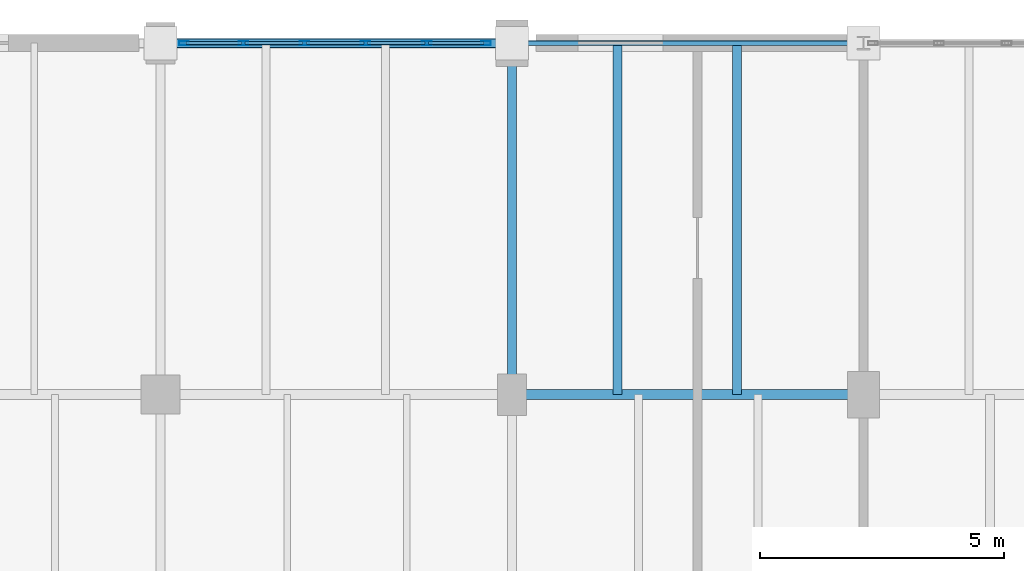
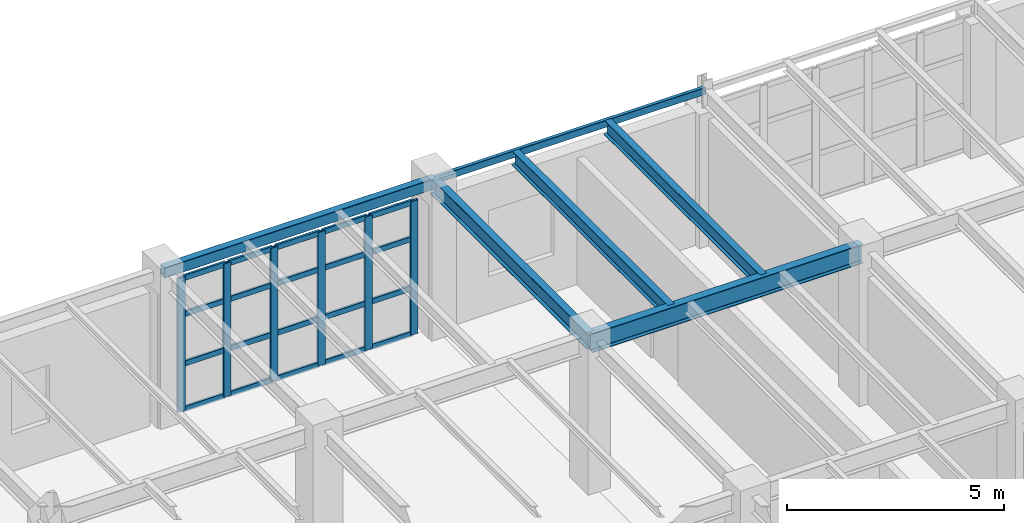
# One storey, part 104 of 137: 26 members, 6 beams, 1 element without a shape of its own.
"""IFC4 building model written with IfcOpenShell, lengths in metres."""

from ifc_helpers import new_model, si_unit, direction, frame, origin, origin_2d, place, context, subcontext, project, spatial, hollow_rectangle, i_section, extrude, material, layer, layer_set, material_profile, profile_set, type_object, element, aggregate, save


model = new_model("IFC4")

# Units and contexts
model_context = context("Model", 3, precision=1e-05, world=origin(), true_north=direction((0.0, 1.0)))
body_context = subcontext(model_context, "Body", "Model", "MODEL_VIEW")
ifc_project = project(units=[si_unit("LENGTHUNIT", "METRE"), si_unit("AREAUNIT", "SQUARE_METRE"), si_unit("VOLUMEUNIT", "CUBIC_METRE"), si_unit("PLANEANGLEUNIT", "RADIAN"), si_unit("MASSUNIT", "GRAM", prefix="KILO")], contexts=[model_context])

# Site, building, storey
site_placement = place(None, origin())
site = spatial("IfcSite", under=ifc_project, at=site_placement, CompositionType="ELEMENT")
building_placement = place(site_placement, origin())
building = spatial("IfcBuilding", under=site, at=building_placement, Name="Kemerveld Promenade Tramway Depot", CompositionType="ELEMENT")
storey_placement = place(building_placement, frame((0.0, 0.0, 5.39990234375)))
storey = spatial("IfcBuildingStorey", under=building, at=storey_placement, Name="L01", CompositionType="ELEMENT", Elevation=5.39990234375)

# Beams
ifc_material_1 = material(Name="Steel S355", Category="steel")
ifc_material_profile_1 = material_profile(ifc_material_1, i_section(OverallWidth=0.2099609375, OverallDepth=0.53662109375, WebThickness=0.0107421875, FlangeThickness=0.017333984375, FilletRadius=0.0126953125, at=origin_2d()), Name="533x210x101 UB")
ifc_profile_set_1 = profile_set([ifc_material_profile_1], Name="Steel S355")
beam_type_1 = type_object("IfcBeamType", Name="BM-G05", PredefinedType="BEAM", material=ifc_profile_set_1)
beam_1_placement = place(storey_placement, frame((136.800048828125, 72.0, 3.9716796875), z_axis=(1.0, 0.0, 0.0), x_axis=(0.0, 1.0, 0.0)))
element("IfcBeam", 1, at=beam_1_placement, inside=storey, type_object=beam_type_1, Name="BMX-L01-20-21-L", PredefinedType="BEAM", context=body_context, shape_type="SweptSolid", body=[
    extrude(i_section(OverallWidth=0.2099609375, OverallDepth=0.53662109375, WebThickness=0.0107421875, FlangeThickness=0.017333984375, FilletRadius=0.0126953125, at=origin_2d()), origin(), (0.0, 0.0, 1.0), 7.199951171875),
])
ifc_material_profile_2 = material_profile(ifc_material_1, i_section(OverallWidth=0.19140625, OverallDepth=0.4599609375, WebThickness=0.010009765625, FlangeThickness=0.01611328125, FilletRadius=0.01025390625, at=origin_2d()), Name="457x191x82 UB")
ifc_profile_set_2 = profile_set([ifc_material_profile_2], Name="Steel S355")
beam_type_2 = type_object("IfcBeamType", Name="BM-G06", PredefinedType="BEAM", material=ifc_profile_set_2)
beam_2_placement = place(storey_placement, frame((136.800048828125, 72.0, 4.010009765625), z_axis=(0.0, 1.0, 0.0), x_axis=(-1.0, 0.0, 0.0)))
element("IfcBeam", 2, at=beam_2_placement, inside=storey, type_object=beam_type_2, Name="BMY-L01-20-L-M", PredefinedType="BEAM", context=body_context, shape_type="SweptSolid", body=[
    extrude(i_section(OverallWidth=0.19140625, OverallDepth=0.4599609375, WebThickness=0.010009765625, FlangeThickness=0.01611328125, FilletRadius=0.01025390625, at=origin_2d()), origin(), (0.0, 0.0, 1.0), 7.199951171875),
])
ifc_material_profile_3 = material_profile(ifc_material_1, i_section(OverallWidth=0.1787109375, OverallDepth=0.409423828125, WebThickness=0.0087890625, FlangeThickness=0.014404296875, FilletRadius=0.01025390625, at=origin_2d()), Name="406x178x67 UB")
ifc_profile_set_3 = profile_set([ifc_material_profile_3], Name="Steel S355")
beam_type_3 = type_object("IfcBeamType", Name="BM-J05", PredefinedType="JOIST", material=ifc_profile_set_3)
for number, where, z_axis, x_axis, name in (
    (3, (138.9599609375, 72.0, 4.035400390625), (0.0, 1.0, 0.0), (-1.0, 0.0, 0.0), "JST-L01-20-L-1"),
    (4, (141.407958984375, 72.0, 4.035400390625), (0.0, 1.0, 0.0), (-1.0, 0.0, 0.0), "JST-L01-20-L-2"),
):
    element("IfcBeam", number, at=place(storey_placement, frame(where, z_axis=z_axis, x_axis=x_axis)), inside=storey, type_object=beam_type_3, Name=name, PredefinedType="JOIST", context=body_context, shape_type="SweptSolid", body=[
        extrude(i_section(OverallWidth=0.1787109375, OverallDepth=0.409423828125, WebThickness=0.0087890625, FlangeThickness=0.014404296875, FilletRadius=0.01025390625, at=origin_2d()), origin(), (0.0, 0.0, 1.0), 7.199951171875),
    ])
ifc_material_profile_4 = material_profile(ifc_material_1, hollow_rectangle(XDim=0.199951171875, YDim=0.300048828125, WallThickness=0.012451171875, InnerFilletRadius=0.00634765625, OuterFilletRadius=0.018798828125, at=origin_2d()), Name="300x200x12.5 RHS")
ifc_profile_set_4 = profile_set([ifc_material_profile_4], Name="Steel S355")
beam_type_4 = type_object("IfcBeamType", Name="BM-SP1", PredefinedType="SPANDREL", material=ifc_profile_set_4)
beam_3_placement = place(storey_placement, frame((129.60009765625, 79.199951171875, 4.090087890625), z_axis=(1.0, 0.0, 0.0), x_axis=(0.0, 1.0, 0.0)))
element("IfcBeam", 5, at=beam_3_placement, inside=storey, type_object=beam_type_4, Name="BMX-L01-19-20-M", PredefinedType="SPANDREL", context=body_context, shape_type="SweptSolid", body=[
    extrude(hollow_rectangle(XDim=0.199951171875, YDim=0.300048828125, WallThickness=0.012451171875, InnerFilletRadius=0.00634765625, OuterFilletRadius=0.018798828125, at=origin_2d()), origin(), (0.0, 0.0, 1.0), 7.199951171875),
])
ifc_material_profile_5 = material_profile(ifc_material_1, hollow_rectangle(XDim=0.10009765625, YDim=0.199951171875, WallThickness=0.008056640625, InnerFilletRadius=0.00390625, OuterFilletRadius=0.011962890625, at=origin_2d()), Name="200x100x8.0 RHS")
ifc_profile_set_5 = profile_set([ifc_material_profile_5], Name="Steel S355")
beam_type_5 = type_object("IfcBeamType", Name="BM-SP3", PredefinedType="SPANDREL", material=ifc_profile_set_5)
beam_4_placement = place(storey_placement, frame((136.800048828125, 79.199951171875, 4.14013671875), z_axis=(1.0, 0.0, 0.0), x_axis=(0.0, 1.0, 0.0)))
element("IfcBeam", 6, at=beam_4_placement, inside=storey, type_object=beam_type_5, Name="BMX-L01-20-21-M", PredefinedType="SPANDREL", context=body_context, shape_type="SweptSolid", body=[
    extrude(hollow_rectangle(XDim=0.10009765625, YDim=0.199951171875, WallThickness=0.008056640625, InnerFilletRadius=0.00390625, OuterFilletRadius=0.011962890625, at=origin_2d()), origin(), (0.0, 0.0, 1.0), 7.199951171875),
])

# Curtain wall, members
ifc_material_2 = material(Name="Bronze anodised aluminium and solar glass", Category="aluminium")
ifc_layer = layer(ifc_material_2, 0.199951171875)
ifc_layer_set = layer_set([ifc_layer], Name="CW-SYS-06")
curtain_wall_type = type_object("IfcCurtainWallType", Name="CW-SYS-06", PredefinedType="USERDEFINED", material=ifc_layer_set)
curtain_wall_placement = place(storey_placement, origin())
curtain_wall = element("IfcCurtainWall", 7, at=curtain_wall_placement, inside=storey, type_object=curtain_wall_type, Name="CW-L01-V3N-03", ObjectType="GLAZED_CURTAIN_WALL", PredefinedType="USERDEFINED")
ifc_material_3 = material(Name="Bronze anodised aluminium", Category="aluminium")
ifc_material_profile_6 = material_profile(ifc_material_3, hollow_rectangle(XDim=0.074951171875, YDim=0.199951171875, WallThickness=0.0048828125, InnerFilletRadius=0.001953125, OuterFilletRadius=0.0048828125, at=origin_2d()), Name="CW-MUL-200x75")
ifc_profile_set_6 = profile_set([ifc_material_profile_6], Name="Bronze anodised aluminium")
member_type_1 = type_object("IfcMemberType", Name="CW-MUL-B", PredefinedType="MULLION", material=ifc_profile_set_6)
member_1_placement = place(storey_placement, frame((130.08251953125, 79.199951171875, 0.0), z_axis=(0.0, 0.0, 1.0), x_axis=(0.0, 1.0, 0.0)))
member_1 = element("IfcMember", 8, at=member_1_placement, type_object=member_type_1, Name="CW06 mullion 1", PredefinedType="MULLION", context=body_context, shape_type="SweptSolid", body=[
    extrude(hollow_rectangle(XDim=0.074951171875, YDim=0.199951171875, WallThickness=0.0048828125, InnerFilletRadius=0.001953125, OuterFilletRadius=0.0048828125, at=origin_2d()), origin(), (0.0, 0.0, 1.0), 3.75),
])
member_2_placement = place(storey_placement, frame((131.297119140625, 79.199951171875, 0.0), z_axis=(0.0, 0.0, 1.0), x_axis=(0.0, 1.0, 0.0)))
member_2 = element("IfcMember", 9, at=member_2_placement, type_object=member_type_1, Name="CW06 mullion 2", PredefinedType="MULLION", context=body_context, shape_type="SweptSolid", body=[
    extrude(hollow_rectangle(XDim=0.074951171875, YDim=0.199951171875, WallThickness=0.0048828125, InnerFilletRadius=0.001953125, OuterFilletRadius=0.0048828125, at=origin_2d()), origin(), (0.0, 0.0, 1.0), 3.75),
])
member_3_placement = place(storey_placement, frame((132.549072265625, 79.199951171875, 0.0), z_axis=(0.0, 0.0, 1.0), x_axis=(0.0, 1.0, 0.0)))
member_3 = element("IfcMember", 10, at=member_3_placement, type_object=member_type_1, Name="CW06 mullion 3", PredefinedType="MULLION", context=body_context, shape_type="SweptSolid", body=[
    extrude(hollow_rectangle(XDim=0.074951171875, YDim=0.199951171875, WallThickness=0.0048828125, InnerFilletRadius=0.001953125, OuterFilletRadius=0.0048828125, at=origin_2d()), origin(), (0.0, 0.0, 1.0), 3.75),
])
member_4_placement = place(storey_placement, frame((133.801025390625, 79.199951171875, 0.0), z_axis=(0.0, 0.0, 1.0), x_axis=(0.0, 1.0, 0.0)))
member_4 = element("IfcMember", 11, at=member_4_placement, type_object=member_type_1, Name="CW06 mullion 4", PredefinedType="MULLION", context=body_context, shape_type="SweptSolid", body=[
    extrude(hollow_rectangle(XDim=0.074951171875, YDim=0.199951171875, WallThickness=0.0048828125, InnerFilletRadius=0.001953125, OuterFilletRadius=0.0048828125, at=origin_2d()), origin(), (0.0, 0.0, 1.0), 3.75),
])
member_5_placement = place(storey_placement, frame((135.052978515625, 79.199951171875, 0.0), z_axis=(0.0, 0.0, 1.0), x_axis=(0.0, 1.0, 0.0)))
member_5 = element("IfcMember", 12, at=member_5_placement, type_object=member_type_1, Name="CW06 mullion 5", PredefinedType="MULLION", context=body_context, shape_type="SweptSolid", body=[
    extrude(hollow_rectangle(XDim=0.074951171875, YDim=0.199951171875, WallThickness=0.0048828125, InnerFilletRadius=0.001953125, OuterFilletRadius=0.0048828125, at=origin_2d()), origin(), (0.0, 0.0, 1.0), 3.75),
])
member_6_placement = place(storey_placement, frame((136.267578125, 79.199951171875, 0.0), z_axis=(0.0, 0.0, 1.0), x_axis=(0.0, 1.0, 0.0)))
member_6 = element("IfcMember", 13, at=member_6_placement, type_object=member_type_1, Name="CW06 mullion 6", PredefinedType="MULLION", context=body_context, shape_type="SweptSolid", body=[
    extrude(hollow_rectangle(XDim=0.074951171875, YDim=0.199951171875, WallThickness=0.0048828125, InnerFilletRadius=0.001953125, OuterFilletRadius=0.0048828125, at=origin_2d()), origin(), (0.0, 0.0, 1.0), 3.75),
])
ifc_material_profile_7 = material_profile(ifc_material_3, hollow_rectangle(XDim=0.06494140625, YDim=0.14990234375, WallThickness=0.00439453125, InnerFilletRadius=0.001953125, OuterFilletRadius=0.00439453125, at=origin_2d()), Name="CW-TRN-150x65")
ifc_profile_set_7 = profile_set([ifc_material_profile_7], Name="Bronze anodised aluminium")
member_type_2 = type_object("IfcMemberType", Name="CW-TRN-B", PredefinedType="USERDEFINED", material=ifc_profile_set_7)
member_7_placement = place(storey_placement, frame((130.1201171875, 79.199951171875, 0.03271484375), z_axis=(1.0, 0.0, 0.0), x_axis=(0.0, 1.0, 0.0)))
member_7 = element("IfcMember", 14, at=member_7_placement, type_object=member_type_2, Name="CW06 transom 1.1", ObjectType="TRANSOM", PredefinedType="USERDEFINED", context=body_context, shape_type="SweptSolid", body=[
    extrude(hollow_rectangle(XDim=0.06494140625, YDim=0.14990234375, WallThickness=0.00439453125, InnerFilletRadius=0.001953125, OuterFilletRadius=0.00439453125, at=origin_2d()), origin(), (0.0, 0.0, 1.0), 1.139404296875),
])
member_8_placement = place(storey_placement, frame((130.1201171875, 79.199951171875, 1.31298828125), z_axis=(1.0, 0.0, 0.0), x_axis=(0.0, 1.0, 0.0)))
member_8 = element("IfcMember", 15, at=member_8_placement, type_object=member_type_2, Name="CW06 transom 1.2", ObjectType="TRANSOM", PredefinedType="USERDEFINED", context=body_context, shape_type="SweptSolid", body=[
    extrude(hollow_rectangle(XDim=0.06494140625, YDim=0.14990234375, WallThickness=0.00439453125, InnerFilletRadius=0.001953125, OuterFilletRadius=0.00439453125, at=origin_2d()), origin(), (0.0, 0.0, 1.0), 1.139404296875),
])
member_9_placement = place(storey_placement, frame((130.1201171875, 79.199951171875, 2.7001953125), z_axis=(1.0, 0.0, 0.0), x_axis=(0.0, 1.0, 0.0)))
member_9 = element("IfcMember", 16, at=member_9_placement, type_object=member_type_2, Name="CW06 transom 1.3", ObjectType="TRANSOM", PredefinedType="USERDEFINED", context=body_context, shape_type="SweptSolid", body=[
    extrude(hollow_rectangle(XDim=0.06494140625, YDim=0.14990234375, WallThickness=0.00439453125, InnerFilletRadius=0.001953125, OuterFilletRadius=0.00439453125, at=origin_2d()), origin(), (0.0, 0.0, 1.0), 1.139404296875),
])
member_10_placement = place(storey_placement, frame((130.1201171875, 79.199951171875, 3.717529296875), z_axis=(1.0, 0.0, 0.0), x_axis=(0.0, 1.0, 0.0)))
member_10 = element("IfcMember", 17, at=member_10_placement, type_object=member_type_2, Name="CW06 transom 1.4", ObjectType="TRANSOM", PredefinedType="USERDEFINED", context=body_context, shape_type="SweptSolid", body=[
    extrude(hollow_rectangle(XDim=0.06494140625, YDim=0.14990234375, WallThickness=0.00439453125, InnerFilletRadius=0.001953125, OuterFilletRadius=0.00439453125, at=origin_2d()), origin(), (0.0, 0.0, 1.0), 1.139404296875),
])
member_11_placement = place(storey_placement, frame((131.33447265625, 79.199951171875, 0.03271484375), z_axis=(1.0, 0.0, 0.0), x_axis=(0.0, 1.0, 0.0)))
member_11 = element("IfcMember", 18, at=member_11_placement, type_object=member_type_2, Name="CW06 transom 2.1", ObjectType="TRANSOM", PredefinedType="USERDEFINED", context=body_context, shape_type="SweptSolid", body=[
    extrude(hollow_rectangle(XDim=0.06494140625, YDim=0.14990234375, WallThickness=0.00439453125, InnerFilletRadius=0.001953125, OuterFilletRadius=0.00439453125, at=origin_2d()), origin(), (0.0, 0.0, 1.0), 1.177001953125),
])
member_12_placement = place(storey_placement, frame((131.33447265625, 79.199951171875, 1.31298828125), z_axis=(1.0, 0.0, 0.0), x_axis=(0.0, 1.0, 0.0)))
member_12 = element("IfcMember", 19, at=member_12_placement, type_object=member_type_2, Name="CW06 transom 2.2", ObjectType="TRANSOM", PredefinedType="USERDEFINED", context=body_context, shape_type="SweptSolid", body=[
    extrude(hollow_rectangle(XDim=0.06494140625, YDim=0.14990234375, WallThickness=0.00439453125, InnerFilletRadius=0.001953125, OuterFilletRadius=0.00439453125, at=origin_2d()), origin(), (0.0, 0.0, 1.0), 1.177001953125),
])
member_13_placement = place(storey_placement, frame((131.33447265625, 79.199951171875, 2.7001953125), z_axis=(1.0, 0.0, 0.0), x_axis=(0.0, 1.0, 0.0)))
member_13 = element("IfcMember", 20, at=member_13_placement, type_object=member_type_2, Name="CW06 transom 2.3", ObjectType="TRANSOM", PredefinedType="USERDEFINED", context=body_context, shape_type="SweptSolid", body=[
    extrude(hollow_rectangle(XDim=0.06494140625, YDim=0.14990234375, WallThickness=0.00439453125, InnerFilletRadius=0.001953125, OuterFilletRadius=0.00439453125, at=origin_2d()), origin(), (0.0, 0.0, 1.0), 1.177001953125),
])
member_14_placement = place(storey_placement, frame((131.33447265625, 79.199951171875, 3.717529296875), z_axis=(1.0, 0.0, 0.0), x_axis=(0.0, 1.0, 0.0)))
member_14 = element("IfcMember", 21, at=member_14_placement, type_object=member_type_2, Name="CW06 transom 2.4", ObjectType="TRANSOM", PredefinedType="USERDEFINED", context=body_context, shape_type="SweptSolid", body=[
    extrude(hollow_rectangle(XDim=0.06494140625, YDim=0.14990234375, WallThickness=0.00439453125, InnerFilletRadius=0.001953125, OuterFilletRadius=0.00439453125, at=origin_2d()), origin(), (0.0, 0.0, 1.0), 1.177001953125),
])
member_15_placement = place(storey_placement, frame((132.58642578125, 79.199951171875, 0.03271484375), z_axis=(1.0, 0.0, 0.0), x_axis=(0.0, 1.0, 0.0)))
member_15 = element("IfcMember", 22, at=member_15_placement, type_object=member_type_2, Name="CW06 transom 3.1", ObjectType="TRANSOM", PredefinedType="USERDEFINED", context=body_context, shape_type="SweptSolid", body=[
    extrude(hollow_rectangle(XDim=0.06494140625, YDim=0.14990234375, WallThickness=0.00439453125, InnerFilletRadius=0.001953125, OuterFilletRadius=0.00439453125, at=origin_2d()), origin(), (0.0, 0.0, 1.0), 1.177001953125),
])
member_16_placement = place(storey_placement, frame((132.58642578125, 79.199951171875, 1.31298828125), z_axis=(1.0, 0.0, 0.0), x_axis=(0.0, 1.0, 0.0)))
member_16 = element("IfcMember", 23, at=member_16_placement, type_object=member_type_2, Name="CW06 transom 3.2", ObjectType="TRANSOM", PredefinedType="USERDEFINED", context=body_context, shape_type="SweptSolid", body=[
    extrude(hollow_rectangle(XDim=0.06494140625, YDim=0.14990234375, WallThickness=0.00439453125, InnerFilletRadius=0.001953125, OuterFilletRadius=0.00439453125, at=origin_2d()), origin(), (0.0, 0.0, 1.0), 1.177001953125),
])
member_17_placement = place(storey_placement, frame((132.58642578125, 79.199951171875, 2.7001953125), z_axis=(1.0, 0.0, 0.0), x_axis=(0.0, 1.0, 0.0)))
member_17 = element("IfcMember", 24, at=member_17_placement, type_object=member_type_2, Name="CW06 transom 3.3", ObjectType="TRANSOM", PredefinedType="USERDEFINED", context=body_context, shape_type="SweptSolid", body=[
    extrude(hollow_rectangle(XDim=0.06494140625, YDim=0.14990234375, WallThickness=0.00439453125, InnerFilletRadius=0.001953125, OuterFilletRadius=0.00439453125, at=origin_2d()), origin(), (0.0, 0.0, 1.0), 1.177001953125),
])
member_18_placement = place(storey_placement, frame((132.58642578125, 79.199951171875, 3.717529296875), z_axis=(1.0, 0.0, 0.0), x_axis=(0.0, 1.0, 0.0)))
member_18 = element("IfcMember", 25, at=member_18_placement, type_object=member_type_2, Name="CW06 transom 3.4", ObjectType="TRANSOM", PredefinedType="USERDEFINED", context=body_context, shape_type="SweptSolid", body=[
    extrude(hollow_rectangle(XDim=0.06494140625, YDim=0.14990234375, WallThickness=0.00439453125, InnerFilletRadius=0.001953125, OuterFilletRadius=0.00439453125, at=origin_2d()), origin(), (0.0, 0.0, 1.0), 1.177001953125),
])
member_19_placement = place(storey_placement, frame((133.83837890625, 79.199951171875, 0.03271484375), z_axis=(1.0, 0.0, 0.0), x_axis=(0.0, 1.0, 0.0)))
member_19 = element("IfcMember", 26, at=member_19_placement, type_object=member_type_2, Name="CW06 transom 4.1", ObjectType="TRANSOM", PredefinedType="USERDEFINED", context=body_context, shape_type="SweptSolid", body=[
    extrude(hollow_rectangle(XDim=0.06494140625, YDim=0.14990234375, WallThickness=0.00439453125, InnerFilletRadius=0.001953125, OuterFilletRadius=0.00439453125, at=origin_2d()), origin(), (0.0, 0.0, 1.0), 1.177001953125),
])
member_20_placement = place(storey_placement, frame((133.83837890625, 79.199951171875, 1.31298828125), z_axis=(1.0, 0.0, 0.0), x_axis=(0.0, 1.0, 0.0)))
member_20 = element("IfcMember", 27, at=member_20_placement, type_object=member_type_2, Name="CW06 transom 4.2", ObjectType="TRANSOM", PredefinedType="USERDEFINED", context=body_context, shape_type="SweptSolid", body=[
    extrude(hollow_rectangle(XDim=0.06494140625, YDim=0.14990234375, WallThickness=0.00439453125, InnerFilletRadius=0.001953125, OuterFilletRadius=0.00439453125, at=origin_2d()), origin(), (0.0, 0.0, 1.0), 1.177001953125),
])
member_21_placement = place(storey_placement, frame((133.83837890625, 79.199951171875, 2.7001953125), z_axis=(1.0, 0.0, 0.0), x_axis=(0.0, 1.0, 0.0)))
member_21 = element("IfcMember", 28, at=member_21_placement, type_object=member_type_2, Name="CW06 transom 4.3", ObjectType="TRANSOM", PredefinedType="USERDEFINED", context=body_context, shape_type="SweptSolid", body=[
    extrude(hollow_rectangle(XDim=0.06494140625, YDim=0.14990234375, WallThickness=0.00439453125, InnerFilletRadius=0.001953125, OuterFilletRadius=0.00439453125, at=origin_2d()), origin(), (0.0, 0.0, 1.0), 1.177001953125),
])
member_22_placement = place(storey_placement, frame((133.83837890625, 79.199951171875, 3.717529296875), z_axis=(1.0, 0.0, 0.0), x_axis=(0.0, 1.0, 0.0)))
member_22 = element("IfcMember", 29, at=member_22_placement, type_object=member_type_2, Name="CW06 transom 4.4", ObjectType="TRANSOM", PredefinedType="USERDEFINED", context=body_context, shape_type="SweptSolid", body=[
    extrude(hollow_rectangle(XDim=0.06494140625, YDim=0.14990234375, WallThickness=0.00439453125, InnerFilletRadius=0.001953125, OuterFilletRadius=0.00439453125, at=origin_2d()), origin(), (0.0, 0.0, 1.0), 1.177001953125),
])
member_23_placement = place(storey_placement, frame((135.090576171875, 79.199951171875, 0.03271484375), z_axis=(1.0, 0.0, 0.0), x_axis=(0.0, 1.0, 0.0)))
member_23 = element("IfcMember", 30, at=member_23_placement, type_object=member_type_2, Name="CW06 transom 5.1", ObjectType="TRANSOM", PredefinedType="USERDEFINED", context=body_context, shape_type="SweptSolid", body=[
    extrude(hollow_rectangle(XDim=0.06494140625, YDim=0.14990234375, WallThickness=0.00439453125, InnerFilletRadius=0.001953125, OuterFilletRadius=0.00439453125, at=origin_2d()), origin(), (0.0, 0.0, 1.0), 1.139404296875),
])
member_24_placement = place(storey_placement, frame((135.090576171875, 79.199951171875, 1.31298828125), z_axis=(1.0, 0.0, 0.0), x_axis=(0.0, 1.0, 0.0)))
member_24 = element("IfcMember", 31, at=member_24_placement, type_object=member_type_2, Name="CW06 transom 5.2", ObjectType="TRANSOM", PredefinedType="USERDEFINED", context=body_context, shape_type="SweptSolid", body=[
    extrude(hollow_rectangle(XDim=0.06494140625, YDim=0.14990234375, WallThickness=0.00439453125, InnerFilletRadius=0.001953125, OuterFilletRadius=0.00439453125, at=origin_2d()), origin(), (0.0, 0.0, 1.0), 1.139404296875),
])
member_25_placement = place(storey_placement, frame((135.090576171875, 79.199951171875, 2.7001953125), z_axis=(1.0, 0.0, 0.0), x_axis=(0.0, 1.0, 0.0)))
member_25 = element("IfcMember", 32, at=member_25_placement, type_object=member_type_2, Name="CW06 transom 5.3", ObjectType="TRANSOM", PredefinedType="USERDEFINED", context=body_context, shape_type="SweptSolid", body=[
    extrude(hollow_rectangle(XDim=0.06494140625, YDim=0.14990234375, WallThickness=0.00439453125, InnerFilletRadius=0.001953125, OuterFilletRadius=0.00439453125, at=origin_2d()), origin(), (0.0, 0.0, 1.0), 1.139404296875),
])
member_26_placement = place(storey_placement, frame((135.090576171875, 79.199951171875, 3.717529296875), z_axis=(1.0, 0.0, 0.0), x_axis=(0.0, 1.0, 0.0)))
member_26 = element("IfcMember", 33, at=member_26_placement, type_object=member_type_2, Name="CW06 transom 5.4", ObjectType="TRANSOM", PredefinedType="USERDEFINED", context=body_context, shape_type="SweptSolid", body=[
    extrude(hollow_rectangle(XDim=0.06494140625, YDim=0.14990234375, WallThickness=0.00439453125, InnerFilletRadius=0.001953125, OuterFilletRadius=0.00439453125, at=origin_2d()), origin(), (0.0, 0.0, 1.0), 1.139404296875),
])
aggregate(curtain_wall, [member_1, member_2, member_3, member_4, member_5, member_6, member_7, member_8, member_9, member_10, member_11, member_12, member_13, member_14, member_15, member_16, member_17, member_18, member_19, member_20, member_21, member_22, member_23, member_24, member_25, member_26])

save(model, "model.ifc")
